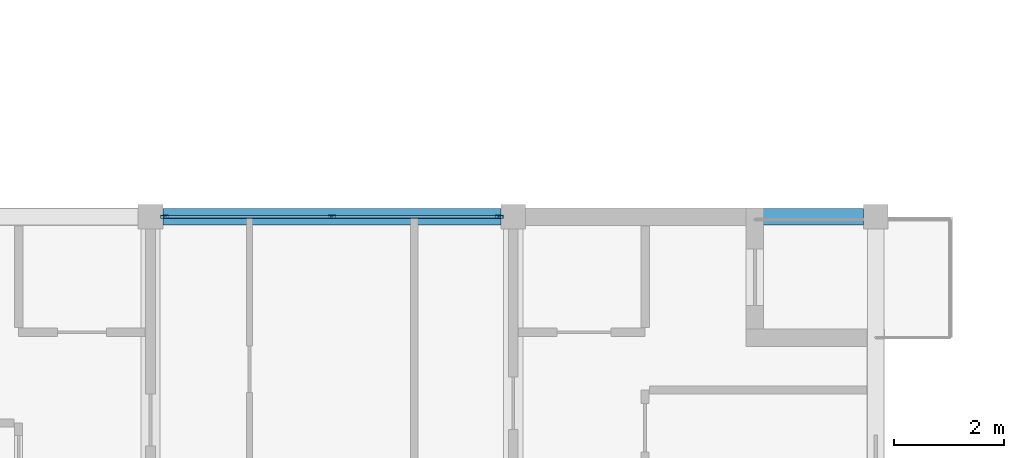
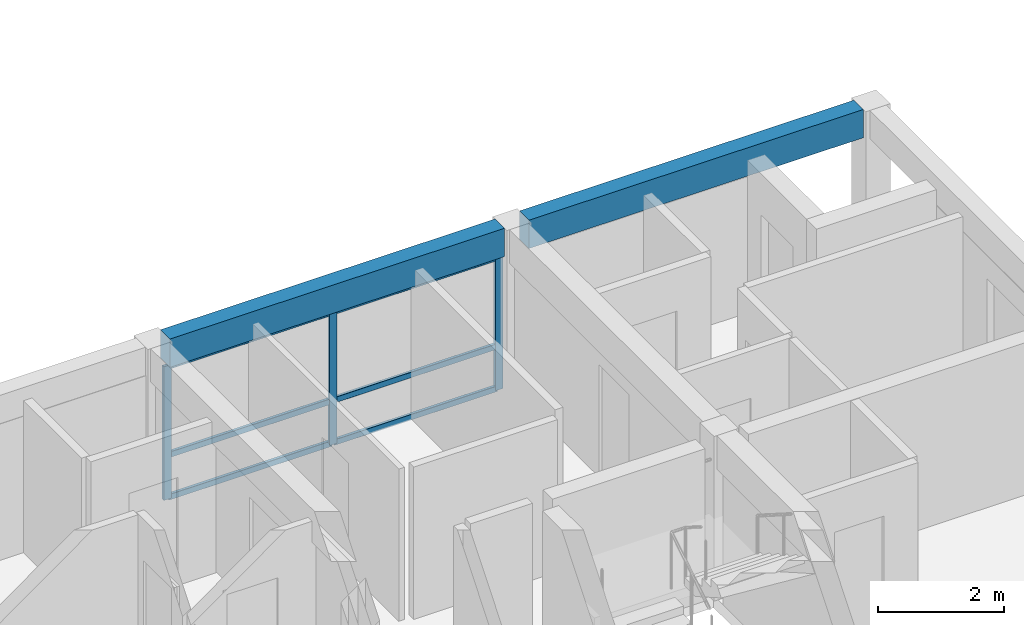
# One storey, part 14 of 53: 9 members, 2 beams, 1 element without a shape of its own.
"""IFC4 building model written with IfcOpenShell, lengths in metres."""

from ifc_helpers import new_model, si_unit, direction, frame, origin, origin_2d, place, context, subcontext, project, spatial, rectangle, hollow_rectangle, extrude, material, material_profile, profile_set, type_object, element, aggregate, save


model = new_model("IFC4")

# Units and contexts
model_context = context("Model", 3, precision=1e-05, world=origin(), true_north=direction((0.0, 1.0)))
body_context = subcontext(model_context, "Body", "Model", "MODEL_VIEW")
ifc_project = project(units=[si_unit("LENGTHUNIT", "METRE"), si_unit("AREAUNIT", "SQUARE_METRE"), si_unit("VOLUMEUNIT", "CUBIC_METRE"), si_unit("PLANEANGLEUNIT", "RADIAN"), si_unit("MASSUNIT", "GRAM", prefix="KILO")], contexts=[model_context])

# Site, building, storey
site_placement = place(None, origin())
site = spatial("IfcSite", under=ifc_project, at=site_placement, CompositionType="ELEMENT")
building_placement = place(site_placement, origin())
building = spatial("IfcBuilding", under=site, at=building_placement, Name="Kernevlak Ridge Housing Community", CompositionType="ELEMENT")
storey_placement = place(building_placement, frame((0.0, 0.0, 18.0)))
storey = spatial("IfcBuildingStorey", under=building, at=storey_placement, Name="L05", CompositionType="ELEMENT", Elevation=18.0)

# Curtain wall, members
ifc_material_1 = material(Name="Aluminium EN AW-6060 anodised and laminated glass", Category="aluminium")
curtain_wall_type = type_object("IfcCurtainWallType", Name="CW-01", PredefinedType="NOTDEFINED", material=ifc_material_1)
curtain_wall_placement = place(storey_placement, origin())
curtain_wall = element("IfcCurtainWall", 1, at=curtain_wall_placement, inside=storey, type_object=curtain_wall_type, Name="Curtain wall CW-01 CW-L05-117", PredefinedType="NOTDEFINED")
ifc_material_2 = material(Name="Aluminium EN AW-6060 anodised", Category="aluminium")
ifc_material_profile_1 = material_profile(ifc_material_2, hollow_rectangle(XDim=0.054931640625, YDim=0.139892578125, WallThickness=0.00390625, InnerFilletRadius=0.001953125, OuterFilletRadius=0.00390625, at=origin_2d()), Name="ALU 55x140x4")
ifc_profile_set_1 = profile_set([ifc_material_profile_1], Name="Aluminium EN AW-6060 anodised")
member_type_1 = type_object("IfcMemberType", Name="MU-01", PredefinedType="MULLION", material=ifc_profile_set_1)
member_1_placement = place(storey_placement, frame((132.8525390625, 42.0, 0.0), z_axis=(0.0, 0.0, 1.0), x_axis=(0.0, 1.0, 0.0)))
member_1 = element("IfcMember", 2, at=member_1_placement, type_object=member_type_1, Name="CW-01 mullion 1", PredefinedType="MULLION", context=body_context, shape_type="SweptSolid", body=[
    extrude(hollow_rectangle(XDim=0.054931640625, YDim=0.139892578125, WallThickness=0.00390625, InnerFilletRadius=0.001953125, OuterFilletRadius=0.00390625, at=origin_2d()), origin(), (0.0, 0.0, 1.0), 2.60009765625),
])
member_2_placement = place(storey_placement, frame((135.89990234375, 42.0, 0.0), z_axis=(0.0, 0.0, 1.0), x_axis=(0.0, 1.0, 0.0)))
member_2 = element("IfcMember", 3, at=member_2_placement, type_object=member_type_1, Name="CW-01 mullion 2", PredefinedType="MULLION", context=body_context, shape_type="SweptSolid", body=[
    extrude(hollow_rectangle(XDim=0.054931640625, YDim=0.139892578125, WallThickness=0.00390625, InnerFilletRadius=0.001953125, OuterFilletRadius=0.00390625, at=origin_2d()), origin(), (0.0, 0.0, 1.0), 2.60009765625),
])
member_3_placement = place(storey_placement, frame((138.947509765625, 42.0, 0.0), z_axis=(0.0, 0.0, 1.0), x_axis=(0.0, 1.0, 0.0)))
member_3 = element("IfcMember", 4, at=member_3_placement, type_object=member_type_1, Name="CW-01 mullion 3", PredefinedType="MULLION", context=body_context, shape_type="SweptSolid", body=[
    extrude(hollow_rectangle(XDim=0.054931640625, YDim=0.139892578125, WallThickness=0.00390625, InnerFilletRadius=0.001953125, OuterFilletRadius=0.00390625, at=origin_2d()), origin(), (0.0, 0.0, 1.0), 2.60009765625),
])

# Beams
ifc_material_3 = material(Name="Concrete C35/45", Category="concrete")
ifc_material_profile_2 = material_profile(ifc_material_3, rectangle(XDim=0.300048828125, YDim=0.550048828125, at=origin_2d()), Name="RC 300x550")
ifc_profile_set_2 = profile_set([ifc_material_profile_2], Name="Concrete C35/45")
beam_type = type_object("IfcBeamType", Name="SP-01", PredefinedType="SPANDREL", material=ifc_profile_set_2)
beam_1_placement = place(storey_placement, frame((132.824951171875, 42.0, 2.925048828125), z_axis=(1.0, 0.0, 0.0), x_axis=(0.0, 1.0, 0.0)))
element("IfcBeam", 5, at=beam_1_placement, inside=storey, type_object=beam_type, Name="Beam SP-01 L05 1132", PredefinedType="SPANDREL", context=body_context, shape_type="SweptSolid", body=[
    extrude(rectangle(XDim=0.300048828125, YDim=0.550048828125, at=origin_2d()), origin(), (0.0, 0.0, 1.0), 6.150146484375),
])
beam_2_placement = place(storey_placement, frame((139.425048828125, 42.0, 2.925048828125), z_axis=(1.0, 0.0, 0.0), x_axis=(0.0, 1.0, 0.0)))
element("IfcBeam", 6, at=beam_2_placement, inside=storey, type_object=beam_type, Name="Beam SP-01 L05 1133", PredefinedType="SPANDREL", context=body_context, shape_type="SweptSolid", body=[
    extrude(rectangle(XDim=0.300048828125, YDim=0.550048828125, at=origin_2d()), origin(), (0.0, 0.0, 1.0), 6.14990234375),
])

# Member
ifc_material_profile_3 = material_profile(ifc_material_2, hollow_rectangle(XDim=0.054931640625, YDim=0.110107421875, WallThickness=0.00390625, InnerFilletRadius=0.001953125, OuterFilletRadius=0.00390625, at=origin_2d()), Name="ALU 55x110x4")
ifc_profile_set_3 = profile_set([ifc_material_profile_3], Name="Aluminium EN AW-6060 anodised")
member_type_2 = type_object("IfcMemberType", Name="TM-01", PredefinedType="USERDEFINED", material=ifc_profile_set_3)
member_4_placement = place(storey_placement, frame((132.8798828125, 42.0, 0.027587890625), z_axis=(1.0, 0.0, 0.0), x_axis=(0.0, 1.0, 0.0)))
member_4 = element("IfcMember", 7, at=member_4_placement, type_object=member_type_2, Name="CW-01 transom 1.1", ObjectType="TRANSOM", PredefinedType="USERDEFINED", context=body_context, shape_type="SweptSolid", body=[
    extrude(hollow_rectangle(XDim=0.054931640625, YDim=0.110107421875, WallThickness=0.00390625, InnerFilletRadius=0.001953125, OuterFilletRadius=0.00390625, at=origin_2d()), origin(), (0.0, 0.0, 1.0), 2.99267578125),
])

member_5_placement = place(storey_placement, frame((132.8798828125, 42.0, 0.85009765625), z_axis=(1.0, 0.0, 0.0), x_axis=(0.0, 1.0, 0.0)))
member_5 = element("IfcMember", 8, at=member_5_placement, type_object=member_type_2, Name="CW-01 transom 1.2", ObjectType="TRANSOM", PredefinedType="USERDEFINED", context=body_context, shape_type="SweptSolid", body=[
    extrude(hollow_rectangle(XDim=0.054931640625, YDim=0.110107421875, WallThickness=0.00390625, InnerFilletRadius=0.001953125, OuterFilletRadius=0.00390625, at=origin_2d()), origin(), (0.0, 0.0, 1.0), 2.99267578125),
])

member_6_placement = place(storey_placement, frame((132.8798828125, 42.0, 2.572509765625), z_axis=(1.0, 0.0, 0.0), x_axis=(0.0, 1.0, 0.0)))
member_6 = element("IfcMember", 9, at=member_6_placement, type_object=member_type_2, Name="CW-01 transom 1.3", ObjectType="TRANSOM", PredefinedType="USERDEFINED", context=body_context, shape_type="SweptSolid", body=[
    extrude(hollow_rectangle(XDim=0.054931640625, YDim=0.110107421875, WallThickness=0.00390625, InnerFilletRadius=0.001953125, OuterFilletRadius=0.00390625, at=origin_2d()), origin(), (0.0, 0.0, 1.0), 2.99267578125),
])

member_7_placement = place(storey_placement, frame((135.927490234375, 42.0, 0.027587890625), z_axis=(1.0, 0.0, 0.0), x_axis=(0.0, 1.0, 0.0)))
member_7 = element("IfcMember", 10, at=member_7_placement, type_object=member_type_2, Name="CW-01 transom 2.1", ObjectType="TRANSOM", PredefinedType="USERDEFINED", context=body_context, shape_type="SweptSolid", body=[
    extrude(hollow_rectangle(XDim=0.054931640625, YDim=0.110107421875, WallThickness=0.00390625, InnerFilletRadius=0.001953125, OuterFilletRadius=0.00390625, at=origin_2d()), origin(), (0.0, 0.0, 1.0), 2.992431640625),
])

member_8_placement = place(storey_placement, frame((135.927490234375, 42.0, 0.85009765625), z_axis=(1.0, 0.0, 0.0), x_axis=(0.0, 1.0, 0.0)))
member_8 = element("IfcMember", 11, at=member_8_placement, type_object=member_type_2, Name="CW-01 transom 2.2", ObjectType="TRANSOM", PredefinedType="USERDEFINED", context=body_context, shape_type="SweptSolid", body=[
    extrude(hollow_rectangle(XDim=0.054931640625, YDim=0.110107421875, WallThickness=0.00390625, InnerFilletRadius=0.001953125, OuterFilletRadius=0.00390625, at=origin_2d()), origin(), (0.0, 0.0, 1.0), 2.992431640625),
])

member_9_placement = place(storey_placement, frame((135.927490234375, 42.0, 2.572509765625), z_axis=(1.0, 0.0, 0.0), x_axis=(0.0, 1.0, 0.0)))
member_9 = element("IfcMember", 12, at=member_9_placement, type_object=member_type_2, Name="CW-01 transom 2.3", ObjectType="TRANSOM", PredefinedType="USERDEFINED", context=body_context, shape_type="SweptSolid", body=[
    extrude(hollow_rectangle(XDim=0.054931640625, YDim=0.110107421875, WallThickness=0.00390625, InnerFilletRadius=0.001953125, OuterFilletRadius=0.00390625, at=origin_2d()), origin(), (0.0, 0.0, 1.0), 2.992431640625),
])

aggregate(curtain_wall, [member_1, member_2, member_3, member_4, member_5, member_6, member_7, member_8, member_9])

save(model, "model.ifc")
